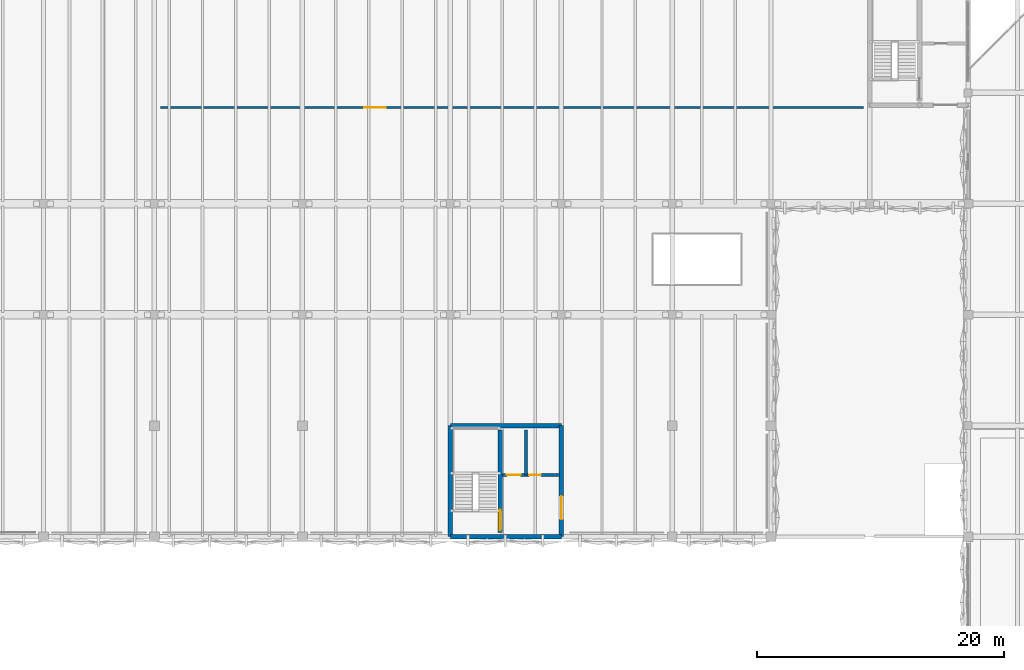
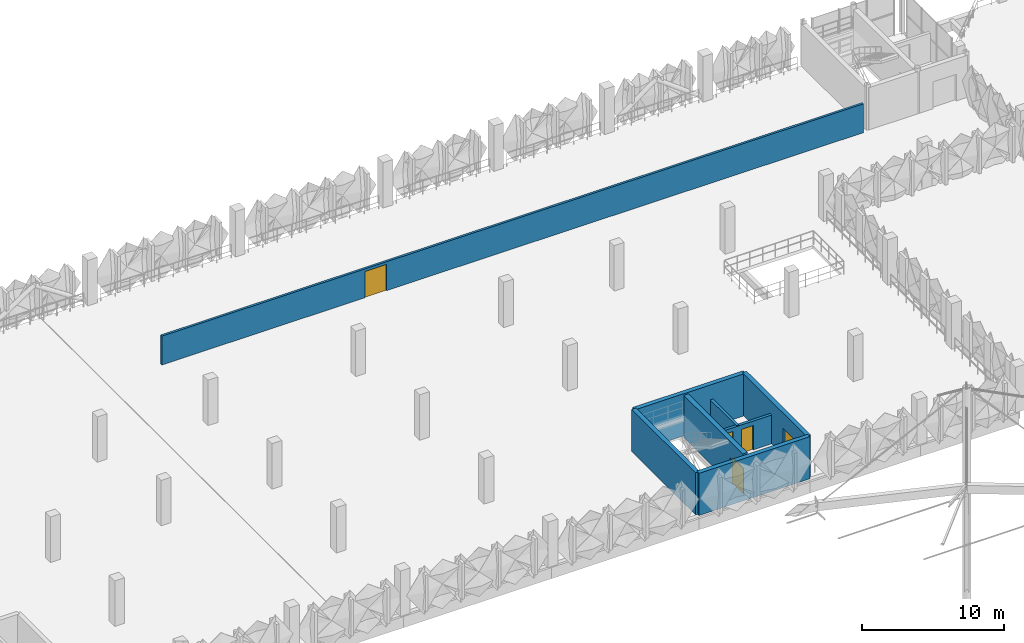
# One storey, part 51 of 96: 8 walls, 5 doors, 5 openings.
"""IFC4 building model written with IfcOpenShell, lengths in metres."""

import ifcopenshell
import ifcopenshell.guid

model = None  # the IFC model being written
_history = None  # IfcOwnerHistory: only IFC2X3 demands one
_inside = {}  # id of a spatial element -> (the spatial element, [elements in it])
_under = {}  # id of a project, library or spatial element -> (it, [spatial elements below it])
_declared = {}  # id of a project -> (the project, [libraries it declares])
_typed = {}  # id of a type object -> (the type object, [elements of that type])
_made_of = {}  # id of a material, layer set ... -> (it, [elements and type objects made of it])


def new_model(schema):
    """Start an empty IFC model of exactly this schema.

    Asked for "IFC4X3", IfcOpenShell would pick the latest addendum, in which some entities
    have other attributes; the version numbers below select the first issue.
    IFC2X3 requires an IfcOwnerHistory on every rooted entity: one is made here for all.
    """
    global model, _history
    if schema == "IFC4X3":
        model = ifcopenshell.file(schema_version=(4, 3, 0, 0))
    else:
        model = ifcopenshell.file(schema=schema)
    _inside.clear()
    _under.clear()
    _declared.clear()
    _typed.clear()
    _made_of.clear()
    _history = None
    if model.schema == "IFC2X3":
        org = make("IfcOrganization", Name="unknown")
        user = make(
            "IfcPersonAndOrganization",
            ThePerson=make("IfcPerson", FamilyName="unknown"),
            TheOrganization=org,
        )
        app = make(
            "IfcApplication",
            ApplicationDeveloper=org,
            Version="unknown",
            ApplicationFullName="unknown",
            ApplicationIdentifier="unknown",
        )
        _history = make(
            "IfcOwnerHistory",
            OwningUser=user,
            OwningApplication=app,
            ChangeAction="ADDED",
            CreationDate=0,
        )
    return model


def make(cls, **values):
    """One entity of the class cls with the attributes given. An attribute that is None is left unset."""
    return model.create_entity(
        cls, **{name: value for name, value in values.items() if value is not None}
    )


def rooted(cls, **values):
    """An entity with a GlobalId (a new one), such as an element, a storey or a relation."""
    return make(cls, GlobalId=ifcopenshell.guid.new(), OwnerHistory=_history, **values)


def si_unit(unit_type, name, prefix=None):
    """IfcSIUnit, for example si_unit("LENGTHUNIT", "METRE", prefix="MILLI")."""
    return make("IfcSIUnit", UnitType=unit_type, Prefix=prefix, Name=name)


def derived_unit(unit_type, elements):
    """IfcDerivedUnit: a product of units, each with its exponent."""
    return make(
        "IfcDerivedUnit",
        Elements=[
            make("IfcDerivedUnitElement", Unit=unit, Exponent=power)
            for unit, power in elements
        ],
        UnitType=unit_type,
    )


def assignment(units):
    """IfcUnitAssignment: the units of a project."""
    return None if units is None else make("IfcUnitAssignment", Units=units)


def point(xyz):
    """IfcCartesianPoint."""
    return None if xyz is None else make("IfcCartesianPoint", Coordinates=xyz)


def direction(xyz):
    """IfcDirection."""
    return None if xyz is None else make("IfcDirection", DirectionRatios=xyz)


def frame(location, z_axis=None, x_axis=None):
    """IfcAxis2Placement3D, a coordinate frame: its origin and axes. An axis left out is left unset."""
    return make(
        "IfcAxis2Placement3D",
        Location=point(location),
        Axis=direction(z_axis),
        RefDirection=direction(x_axis),
    )


def frame_2d(location, x_axis=None):
    """IfcAxis2Placement2D, a coordinate frame in the plane: its origin and x axis."""
    return make(
        "IfcAxis2Placement2D", Location=point(location), RefDirection=direction(x_axis)
    )


def origin():
    """The frame at (0, 0, 0) with its axes left unset."""
    return frame((0.0, 0.0, 0.0))


def place(relative_to, where):
    """IfcLocalPlacement: puts the frame where relative to a parent placement (None: the world)."""
    return make(
        "IfcLocalPlacement", PlacementRelTo=relative_to, RelativePlacement=where
    )


def context(
    kind, dimensions, precision=None, world=None, true_north=None, identifier=None
):
    """IfcGeometricRepresentationContext, for example the 3D "Model" context."""
    return make(
        "IfcGeometricRepresentationContext",
        ContextIdentifier=identifier,
        ContextType=kind,
        CoordinateSpaceDimension=dimensions,
        Precision=precision,
        WorldCoordinateSystem=world,
        TrueNorth=true_north,
    )


def subcontext(parent, identifier, kind, view, scale=None):
    """IfcGeometricRepresentationSubContext, for example "Body" below "Model"."""
    return make(
        "IfcGeometricRepresentationSubContext",
        ContextIdentifier=identifier,
        ContextType=kind,
        ParentContext=parent,
        TargetScale=scale,
        TargetView=view,
    )


def project(units=None, contexts=None):
    """IfcProject with its units and contexts."""
    return rooted(
        "IfcProject",
        Name="project",
        RepresentationContexts=contexts,
        UnitsInContext=assignment(units),
    )


def spatial(cls, under=None, at=None, **own):
    """A site, building, storey or space (cls), placed at a placement, below another one or the project."""
    s = rooted(cls, ObjectPlacement=at, **own)
    if under is not None:
        _under.setdefault(under.id(), (under, []))[1].append(s)
    return s


def profile(cls, at=None, kind="AREA", **sizes):
    """A parametric profile (cls). Its sizes go by their IFC names, for example OverallWidth=200.0."""
    return make(cls, ProfileType=kind, Position=at, **sizes)


def rectangle(**sizes):
    """IfcRectangleProfileDef."""
    return profile("IfcRectangleProfileDef", **sizes)


def extrude(swept, where, along, depth):
    """IfcExtrudedAreaSolid: the profile swept, set in the frame where, extruded along a direction by depth."""
    return make(
        "IfcExtrudedAreaSolid",
        SweptArea=swept,
        Position=where,
        ExtrudedDirection=direction(along),
        Depth=depth,
    )


def shape(context_of_items, identifier, shape_type, items):
    """IfcShapeRepresentation: the items that make up one representation, for example the "Body"."""
    return make(
        "IfcShapeRepresentation",
        ContextOfItems=context_of_items,
        RepresentationIdentifier=identifier,
        RepresentationType=shape_type,
        Items=items,
    )


def material(Name=None, Category=None):
    """IfcMaterial."""
    return make("IfcMaterial", Name=Name, Category=Category)


def layer(
    of_material, thickness, ventilated=None, Name=None, Category=None, Priority=None
):
    """IfcMaterialLayer: one layer of a wall or slab, of a material (None: an air gap)."""
    return make(
        "IfcMaterialLayer",
        Material=of_material,
        LayerThickness=thickness,
        IsVentilated=ventilated,
        Name=Name,
        Category=Category,
        Priority=Priority,
    )


def layer_set(layers, Name=None):
    """IfcMaterialLayerSet."""
    return make("IfcMaterialLayerSet", MaterialLayers=layers, LayerSetName=Name)


def made_of(thing, what):
    """Note that an element or type object is made of a material, layer set ...; save() writes the relation."""
    if what is not None:
        _made_of.setdefault(what.id(), (what, []))[1].append(thing)
    return thing


def type_object(cls, material=None, **own):
    """A type object (cls), such as IfcWallType, which elements share."""
    return made_of(rooted(cls, **own), material)


def element(
    cls,
    number,
    at=None,
    inside=None,
    cuts=None,
    type_object=None,
    material=None,
    context=None,
    identifier="Body",
    shape_type=None,
    held_by="IfcProductDefinitionShape",
    body=None,
    shapes=None,
    **own,
):
    """One element of the class cls, such as IfcWall. Its Tag is "e" and its number.

    at: its placement. inside: the storey or other place that contains it. cuts: it is an
    opening in that element (IfcRelVoidsElement). A single representation is given by context,
    identifier, shape_type and body (its items); several are given by shapes. held_by: the class
    of the entity that holds the representations. save() writes the other relations.
    """
    e = rooted(cls, Tag="e%d" % number, ObjectPlacement=at, **own)
    if body is not None:
        shapes = [shape(context, identifier, shape_type, body)]
    if shapes is not None:
        e.Representation = make(held_by, Representations=shapes)
    if inside is not None:
        _inside.setdefault(inside.id(), (inside, []))[1].append(e)
    if cuts is not None:
        rooted(
            "IfcRelVoidsElement", RelatingBuildingElement=cuts, RelatedOpeningElement=e
        )
    if type_object is not None:
        _typed.setdefault(type_object.id(), (type_object, []))[1].append(e)
    return made_of(e, material)


def fill(opening, filler):
    """IfcRelFillsElement: the door or window that sits in an opening."""
    return rooted(
        "IfcRelFillsElement",
        RelatingOpeningElement=opening,
        RelatedBuildingElement=filler,
    )


def aggregate(whole, parts):
    """IfcRelAggregates: a whole, such as a stair, and the parts it consists of."""
    return rooted("IfcRelAggregates", RelatingObject=whole, RelatedObjects=parts)


def save(model, path):
    """Write the relations noted so far, then the file.

    IfcRelAggregates (storeys below a building ...), IfcRelContainedInSpatialStructure (elements
    in a storey), IfcRelDefinesByType, IfcRelAssociatesMaterial and IfcRelDeclares: one each for
    every whole, place, type object, material and project.
    """
    for whole, parts in _under.values():
        aggregate(whole, parts)
    for where, things in _inside.values():
        rooted(
            "IfcRelContainedInSpatialStructure",
            RelatedElements=things,
            RelatingStructure=where,
        )
    for kind, things in _typed.values():
        rooted("IfcRelDefinesByType", RelatedObjects=things, RelatingType=kind)
    for what, things in _made_of.values():
        rooted("IfcRelAssociatesMaterial", RelatedObjects=things, RelatingMaterial=what)
    for by, libraries in _declared.values():
        rooted("IfcRelDeclares", RelatingContext=by, RelatedDefinitions=libraries)
    model.write(path)


model = new_model("IFC4")

# Units and contexts
model_context = context("Model", 3, precision=1e-05, world=origin(), true_north=direction((0.0, 1.0)))
body_context = subcontext(model_context, "Body", "Model", "MODEL_VIEW")
ifc_project = project(units=[si_unit("LENGTHUNIT", "METRE"), si_unit("AREAUNIT", "SQUARE_METRE"), si_unit("VOLUMEUNIT", "CUBIC_METRE"), si_unit("PLANEANGLEUNIT", "RADIAN"), si_unit("MASSUNIT", "GRAM", prefix="KILO"), si_unit("THERMODYNAMICTEMPERATUREUNIT", "KELVIN"), derived_unit("THERMALTRANSMITTANCEUNIT", [(si_unit("POWERUNIT", "WATT"), 1), (si_unit("AREAUNIT", "SQUARE_METRE"), -1), (si_unit("THERMODYNAMICTEMPERATUREUNIT", "KELVIN"), -1)])], contexts=[model_context])

# Site, building, storey
site_placement = place(None, origin())
site = spatial("IfcSite", under=ifc_project, at=site_placement, CompositionType="ELEMENT")
building_placement = place(site_placement, origin())
building = spatial("IfcBuilding", under=site, at=building_placement, Name="Haiyu Intermodal Mobility Hub", CompositionType="ELEMENT")
storey_placement = place(building_placement, frame((0.0, 0.0, 9.5)))
storey = spatial("IfcBuildingStorey", under=building, at=storey_placement, Name="L02", CompositionType="ELEMENT", Elevation=9.5)

# Wall
ifc_material_1 = material(Name="Autoclaved aerated concrete block A5.0", Category="concrete")
ifc_layer_1 = layer(ifc_material_1, 0.22998046875)
ifc_layer_set_1 = layer_set([ifc_layer_1], Name="Autoclaved aerated concrete block A5.0")
wall_type_1 = type_object("IfcWallType", Name="WAL-WI01", PredefinedType="PARTITIONING", material=ifc_layer_set_1)
wall_1_placement = place(storey_placement, frame((126.1298828125, 109.0, 0.0), z_axis=(0.0, 0.0, 1.0), x_axis=(0.0, 1.0, 0.0)))
element("IfcWall", 1, at=wall_1_placement, inside=storey, type_object=wall_type_1, Name="WAL-CORE-C6-LSH-L02", PredefinedType="PARTITIONING", context=body_context, shape_type="SweptSolid", body=[
    extrude(rectangle(XDim=3.64990234375, YDim=0.22998046875, at=frame_2d((1.824951171875, 0.0))), origin(), (0.0, 0.0, 1.0), 2.47998046875),
])

# Wall, openings, doors
wall_2_placement = place(storey_placement, frame((124.2099609375, 109.0, 0.0), z_axis=(0.0, 0.0, 1.0), x_axis=(1.0, 0.0, 0.0)))
wall_2 = element("IfcWall", 2, at=wall_2_placement, inside=storey, type_object=wall_type_1, Name="WAL-CORE-C6-LFT-L02", PredefinedType="PARTITIONING", context=body_context, shape_type="SweptSolid", body=[
    extrude(rectangle(XDim=4.630126953125, YDim=0.22998046875, at=frame_2d((2.31494140625, 0.0))), origin(), (0.0, 0.0, 1.0), 2.47998046875),
])
opening_1_placement = place(wall_2_placement, frame((0.3798828125, 0.0, 0.0)))
opening_1 = element("IfcOpeningElement", 3, at=opening_1_placement, cuts=wall_2, Name="Opening LD01", PredefinedType="OPENING", context=body_context, shape_type="SweptSolid", body=[
    extrude(rectangle(XDim=1.10009765625, YDim=2.14990234375, at=frame_2d((0.550048828125, 1.074951171875))), frame((0.0, 0.125, 0.0), z_axis=(0.0, -1.0, 0.0), x_axis=(1.0, 0.0, 0.0)), (0.0, 0.0, 1.0), 0.25),
])
opening_2_placement = place(wall_2_placement, frame((2.179931640625, 0.0, 0.0)))
opening_2 = element("IfcOpeningElement", 4, at=opening_2_placement, cuts=wall_2, Name="Opening DI07", PredefinedType="OPENING", context=body_context, shape_type="SweptSolid", body=[
    extrude(rectangle(XDim=0.949951171875, YDim=2.10009765625, at=frame_2d((0.47509765625, 1.050048828125))), frame((0.0, 0.125, 0.0), z_axis=(0.0, -1.0, 0.0), x_axis=(1.0, 0.0, 0.0)), (0.0, 0.0, 1.0), 0.25),
])
ifc_material_2 = material(Name="Steel Q355C", Category="steel")
door_type_1 = type_object("IfcDoorType", Name="DR-DI07", OperationType="NOTDEFINED", PredefinedType="DOOR", material=ifc_material_2)
door_1_placement = place(opening_2_placement, origin())
door_1 = element("IfcDoor", 5, at=door_1_placement, inside=storey, type_object=door_type_1, Name="Core C6 Accessible WC Door L02", OperationType="SINGLE_SWING_RIGHT", OverallHeight=2.10009765625, OverallWidth=0.949951171875, PredefinedType="DOOR", context=body_context, shape_type="SweptSolid", body=[
    extrude(rectangle(XDim=0.949951171875, YDim=2.10009765625, at=frame_2d((0.47509765625, 1.050048828125))), frame((0.0, 0.02490234375, 0.0), z_axis=(0.0, -1.0, 0.0), x_axis=(1.0, 0.0, 0.0)), (0.0, 0.0, 1.0), 0.050048828125),
])
fill(opening_2, door_1)
door_type_2 = type_object("IfcDoorType", Name="DR-LD01", OperationType="DOUBLE_DOOR_SLIDING", PredefinedType="DOOR", material=ifc_material_2)
door_2_placement = place(opening_1_placement, origin())
door_2 = element("IfcDoor", 6, at=door_2_placement, inside=storey, type_object=door_type_2, Name="Lift FL-03 Sliding Landing Door L02", OperationType="SLIDING_TO_LEFT", OverallHeight=2.14990234375, OverallWidth=1.10009765625, PredefinedType="DOOR", context=body_context, shape_type="SweptSolid", body=[
    extrude(rectangle(XDim=1.10009765625, YDim=2.14990234375, at=frame_2d((0.550048828125, 1.074951171875))), frame((0.0, 0.02490234375, 0.0), z_axis=(0.0, -1.0, 0.0), x_axis=(1.0, 0.0, 0.0)), (0.0, 0.0, 1.0), 0.050048828125),
])
fill(opening_1, door_2)

# Wall, opening, door
ifc_layer_2 = layer(ifc_material_1, 0.179931640625)
ifc_layer_set_2 = layer_set([ifc_layer_2], Name="Autoclaved aerated concrete block A5.0")
wall_type_2 = type_object("IfcWallType", Name="WAL-WI03", PredefinedType="PARTITIONING", material=ifc_layer_set_2)
wall_3_placement = place(storey_placement, frame((96.5, 138.800048828125, 0.0), z_axis=(0.0, 0.0, 1.0), x_axis=(1.0, 0.0, 0.0)))
wall_3 = element("IfcWall", 7, at=wall_3_placement, inside=storey, type_object=wall_type_2, Name="WAL-INT-0031", PredefinedType="PARTITIONING", context=body_context, shape_type="SweptSolid", body=[
    extrude(rectangle(XDim=57.0, YDim=0.179931640625, at=frame_2d((28.5, 0.0))), origin(), (0.0, 0.0, 1.0), 2.47998046875),
])
opening_3_placement = place(wall_3_placement, frame((16.5, 0.0, 0.0)))
opening_3 = element("IfcOpeningElement", 8, at=opening_3_placement, cuts=wall_3, Name="Opening DI09", PredefinedType="OPENING", context=body_context, shape_type="SweptSolid", body=[
    extrude(rectangle(XDim=1.75, YDim=2.25, at=frame_2d((0.875, 1.125))), frame((0.0, 0.10009765625, 0.0), z_axis=(0.0, -1.0, 0.0), x_axis=(1.0, 0.0, 0.0)), (0.0, 0.0, 1.0), 0.199951171875),
])
ifc_material_3 = material(Name="Anodised aluminium 6063-T6", Category="aluminium")
door_type_3 = type_object("IfcDoorType", Name="DR-DI09", OperationType="DOUBLE_DOOR_SINGLE_SWING", PredefinedType="DOOR", material=ifc_material_3)
door_3_placement = place(opening_3_placement, origin())
door_3 = element("IfcDoor", 9, at=door_3_placement, inside=storey, type_object=door_type_3, Name="EV Transformer Room Door", OperationType="DOUBLE_SWING_LEFT", OverallHeight=2.25, OverallWidth=1.75, PredefinedType="DOOR", context=body_context, shape_type="SweptSolid", body=[
    extrude(rectangle(XDim=1.75, YDim=2.25, at=frame_2d((0.875, 1.125))), frame((0.0, 0.02490234375, 0.0), z_axis=(0.0, -1.0, 0.0), x_axis=(1.0, 0.0, 0.0)), (0.0, 0.0, 1.0), 0.050048828125),
])
fill(opening_3, door_3)

# Wall
ifc_material_4 = material(Name="Concrete C40", Category="concrete")
ifc_layer_3 = layer(ifc_material_4, 0.35009765625)
ifc_layer_set_3 = layer_set([ifc_layer_3], Name="Concrete C40")
wall_type_3 = type_object("IfcWallType", Name="WAL-WS02", PredefinedType="SHEAR", material=ifc_layer_set_3)
wall_4_placement = place(storey_placement, frame((120.0, 104.0, 0.0), z_axis=(0.0, 0.0, 1.0), x_axis=(1.0, 0.0, 0.0)))
element("IfcWall", 10, at=wall_4_placement, inside=storey, type_object=wall_type_3, Name="WAL-CORE-C6-S-L02", PredefinedType="SHEAR", context=body_context, shape_type="SweptSolid", body=[
    extrude(rectangle(XDim=9.0, YDim=0.35009765625, at=frame_2d((4.5, 0.0))), origin(), (0.0, 0.0, 1.0), 3.6201171875),
])

# Wall, opening, door
wall_5_placement = place(storey_placement, frame((129.0, 104.0, 0.0), z_axis=(0.0, 0.0, 1.0), x_axis=(0.0, 1.0, 0.0)))
wall_5 = element("IfcWall", 11, at=wall_5_placement, inside=storey, type_object=wall_type_3, Name="WAL-CORE-C6-E-L02", PredefinedType="SHEAR", context=body_context, shape_type="SweptSolid", body=[
    extrude(rectangle(XDim=9.0, YDim=0.35009765625, at=frame_2d((4.5, 0.0))), origin(), (0.0, 0.0, 1.0), 3.6201171875),
])
opening_4_placement = place(wall_5_placement, frame((1.39990234375, 0.0, 0.0)))
opening_4 = element("IfcOpeningElement", 12, at=opening_4_placement, cuts=wall_5, Name="Opening DI01", PredefinedType="OPENING", context=body_context, shape_type="SweptSolid", body=[
    extrude(rectangle(XDim=1.89990234375, YDim=2.300048828125, at=frame_2d((0.949951171875, 1.14990234375))), frame((0.0, 0.18505859375, 0.0), z_axis=(0.0, -1.0, 0.0), x_axis=(1.0, 0.0, 0.0)), (0.0, 0.0, 1.0), 0.3701171875),
])
door_type_4 = type_object("IfcDoorType", Name="DR-DI01", OperationType="DOUBLE_DOOR_SINGLE_SWING", PredefinedType="DOOR", material=ifc_material_2)
door_4_placement = place(opening_4_placement, origin())
door_4 = element("IfcDoor", 13, at=door_4_placement, inside=storey, type_object=door_type_4, Name="Core C6 Lobby Fire Door L02", OperationType="SINGLE_SWING_RIGHT", OverallHeight=2.300048828125, OverallWidth=1.89990234375, PredefinedType="DOOR", context=body_context, shape_type="SweptSolid", body=[
    extrude(rectangle(XDim=1.89990234375, YDim=2.300048828125, at=frame_2d((0.949951171875, 1.14990234375))), frame((0.0, 0.02490234375, 0.0), z_axis=(0.0, -1.0, 0.0), x_axis=(1.0, 0.0, 0.0)), (0.0, 0.0, 1.0), 0.050048828125),
])
fill(opening_4, door_4)

# Walls
for number, where, z_axis, x_axis, name in (
    (14, (129.0, 113.0, 0.0), (0.0, 0.0, 1.0), (-1.0, 0.0, 0.0), "WAL-CORE-C6-N-L02"),
    (15, (120.0, 113.0, 0.0), (0.0, 0.0, 1.0), (0.0, -1.0, 0.0), "WAL-CORE-C6-W-L02"),
):
    element("IfcWall", number, at=place(storey_placement, frame(where, z_axis=z_axis, x_axis=x_axis)), inside=storey, type_object=wall_type_3, Name=name, PredefinedType="SHEAR", context=body_context, shape_type="SweptSolid", body=[
        extrude(rectangle(XDim=9.0, YDim=0.35009765625, at=frame_2d((4.5, 0.0))), origin(), (0.0, 0.0, 1.0), 3.6201171875),
    ])

# Wall, opening, door
ifc_layer_4 = layer(ifc_material_4, 0.3798828125)
ifc_layer_set_4 = layer_set([ifc_layer_4], Name="Concrete C40")
wall_type_4 = type_object("IfcWallType", Name="WAL-WS03", PredefinedType="SHEAR", material=ifc_layer_set_4)
wall_6_placement = place(storey_placement, frame((124.050048828125, 104.35009765625, 0.0), z_axis=(0.0, 0.0, 1.0), x_axis=(0.0, 1.0, 0.0)))
wall_6 = element("IfcWall", 16, at=wall_6_placement, inside=storey, type_object=wall_type_4, Name="WAL-CORE-C6-MID-L02", PredefinedType="SHEAR", context=body_context, shape_type="SweptSolid", body=[
    extrude(rectangle(XDim=8.2998046875, YDim=0.3798828125, at=frame_2d((4.14990234375, 0.0))), origin(), (0.0, 0.0, 1.0), 3.6201171875),
])
opening_5_placement = place(wall_6_placement, frame((0.179931640625, 0.0, 0.0)))
opening_5 = element("IfcOpeningElement", 17, at=opening_5_placement, cuts=wall_6, Name="Opening DI02", PredefinedType="OPENING", context=body_context, shape_type="SweptSolid", body=[
    extrude(rectangle(XDim=1.64990234375, YDim=2.199951171875, at=frame_2d((0.824951171875, 1.10009765625))), frame((0.0, 0.199951171875, 0.0), z_axis=(0.0, -1.0, 0.0), x_axis=(1.0, 0.0, 0.0)), (0.0, 0.0, 1.0), 0.39990234375),
])
door_type_5 = type_object("IfcDoorType", Name="DR-DI02", OperationType="DOUBLE_DOOR_SINGLE_SWING", PredefinedType="DOOR", material=ifc_material_2)
door_5_placement = place(opening_5_placement, origin())
door_5 = element("IfcDoor", 18, at=door_5_placement, inside=storey, type_object=door_type_5, Name="Stair ST01 Fire Door L02", OperationType="SINGLE_SWING_RIGHT", OverallHeight=2.199951171875, OverallWidth=1.64990234375, PredefinedType="DOOR", context=body_context, shape_type="SweptSolid", body=[
    extrude(rectangle(XDim=1.64990234375, YDim=2.199951171875, at=frame_2d((0.824951171875, 1.10009765625))), frame((0.0, 0.02490234375, 0.0), z_axis=(0.0, -1.0, 0.0), x_axis=(1.0, 0.0, 0.0)), (0.0, 0.0, 1.0), 0.050048828125),
])
fill(opening_5, door_5)

save(model, "model.ifc")
